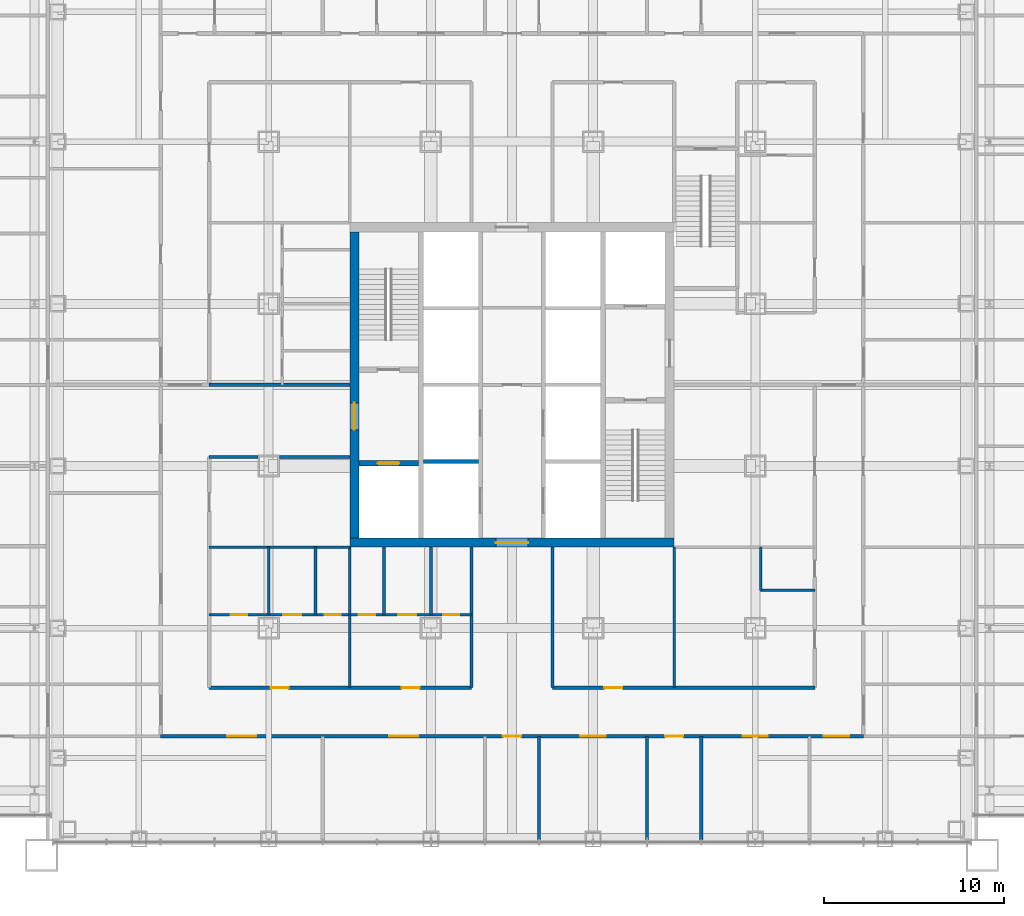
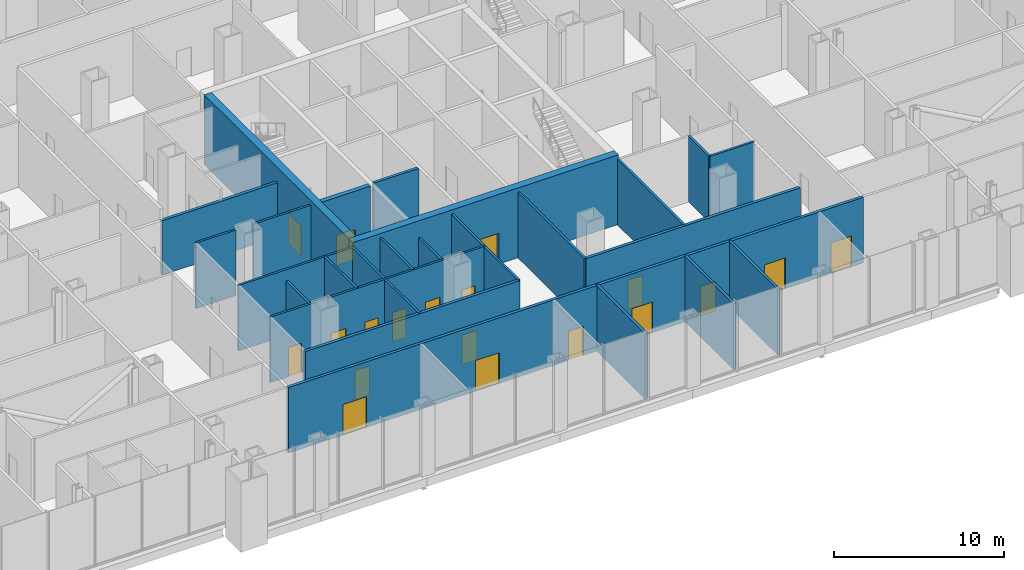
# One storey, part 14 of 25: 26 walls, 19 doors, 19 openings.
"""IFC4 building model written with IfcOpenShell, lengths in metres."""

from ifc_helpers import new_model, si_unit, direction, frame, frame_2d, origin, place, context, subcontext, project, spatial, rectangle, extrude, material, layer, layer_set, type_object, element, fill, save


model = new_model("IFC4")

# Units and contexts
model_context = context("Model", 3, precision=1e-05, world=origin(), true_north=direction((0.0, 1.0)))
body_context = subcontext(model_context, "Body", "Model", "MODEL_VIEW")
ifc_project = project(units=[si_unit("LENGTHUNIT", "METRE"), si_unit("AREAUNIT", "SQUARE_METRE"), si_unit("VOLUMEUNIT", "CUBIC_METRE"), si_unit("PLANEANGLEUNIT", "RADIAN"), si_unit("MASSUNIT", "GRAM", prefix="KILO")], contexts=[model_context])

# Site, building, storey
site_placement = place(None, origin())
site = spatial("IfcSite", under=ifc_project, at=site_placement, CompositionType="ELEMENT")
building_placement = place(site_placement, origin())
building = spatial("IfcBuilding", under=site, at=building_placement, Name="Malebo Sky Hospital", CompositionType="ELEMENT")
storey_placement = place(building_placement, frame((0.0, 0.0, 6.0)))
storey = spatial("IfcBuildingStorey", under=building, at=storey_placement, Name="L01", CompositionType="ELEMENT", Elevation=6.0)

# Wall
ifc_material_1 = material(Name="Concrete C80/95", Category="concrete")
ifc_layer_1 = layer(ifc_material_1, 0.199951171875)
ifc_layer_set_1 = layer_set([ifc_layer_1], Name="CORE INNER WALL 200")
wall_type_1 = type_object("IfcWallType", Name="CORE INNER WALL 200", PredefinedType="SHEAR", material=ifc_layer_set_1)
wall_1_placement = place(storey_placement, frame((55.10009765625, 57.75, 0.0), z_axis=(0.0, 0.0, 1.0), x_axis=(1.0, 0.0, 0.0)))
element("IfcWall", 1, at=wall_1_placement, inside=storey, type_object=wall_type_1, Name="Core wall SW0 L01", PredefinedType="SHEAR", context=body_context, shape_type="SweptSolid", body=[
    extrude(rectangle(XDim=3.0498046875, YDim=0.199951171875, at=frame_2d((1.52490234375, 0.0))), origin(), (0.0, 0.0, 1.0), 5.0),
])

# Wall, opening, door
ifc_layer_2 = layer(ifc_material_1, 0.300048828125)
ifc_layer_set_2 = layer_set([ifc_layer_2], Name="CORE INNER WALL 300")
wall_type_2 = type_object("IfcWallType", Name="CORE INNER WALL 300", PredefinedType="SHEAR", material=ifc_layer_set_2)
wall_2_placement = place(storey_placement, frame((51.5, 57.64990234375, 0.0), z_axis=(0.0, 0.0, 1.0), x_axis=(1.0, 0.0, 0.0)))
wall_2 = element("IfcWall", 2, at=wall_2_placement, inside=storey, type_object=wall_type_2, Name="Core wall W2 L01", PredefinedType="SHEAR", context=body_context, shape_type="SweptSolid", body=[
    extrude(rectangle(XDim=3.300048828125, YDim=0.300048828125, at=frame_2d((1.64990234375, 0.0))), origin(), (0.0, 0.0, 1.0), 5.0),
])
opening_1_placement = place(wall_2_placement, frame((1.050048828125, 0.0, 0.0)))
opening_1 = element("IfcOpeningElement", 3, at=opening_1_placement, cuts=wall_2, Name="Opening LD2", PredefinedType="OPENING", context=body_context, shape_type="SweptSolid", body=[
    extrude(rectangle(XDim=1.199951171875, YDim=2.199951171875, at=frame_2d((0.60009765625, 1.10009765625))), frame((0.0, 0.159912109375, 0.0), z_axis=(0.0, -1.0, 0.0), x_axis=(1.0, 0.0, 0.0)), (0.0, 0.0, 1.0), 0.320068359375),
])
ifc_material_2 = material(Name="Stainless steel sliding landing door", Category="steel")
door_type_1 = type_object("IfcDoorType", Name="FIRE-FIGHTING LIFT LANDING DOOR 1200", OperationType="SLIDING_TO_LEFT", PredefinedType="DOOR", material=ifc_material_2)
door_1_placement = place(opening_1_placement, origin())
door_1 = element("IfcDoor", 4, at=door_1_placement, inside=storey, type_object=door_type_1, Name="Lift FL1 landing door", OperationType="SLIDING_TO_LEFT", OverallHeight=2.199951171875, OverallWidth=1.199951171875, PredefinedType="DOOR", context=body_context, shape_type="SweptSolid", body=[
    extrude(rectangle(XDim=1.199951171875, YDim=2.199951171875, at=frame_2d((0.60009765625, 1.10009765625))), frame((0.0, 0.02490234375, 0.0), z_axis=(0.0, -1.0, 0.0), x_axis=(1.0, 0.0, 0.0)), (0.0, 0.0, 1.0), 0.050048828125),
])
fill(opening_1, door_1)

ifc_layer_3 = layer(ifc_material_1, 0.5)
ifc_layer_set_3 = layer_set([ifc_layer_3], Name="CORE WALL 500")
wall_type_3 = type_object("IfcWallType", Name="CORE WALL 500", PredefinedType="SHEAR", material=ifc_layer_set_3)
wall_3_placement = place(storey_placement, frame((51.0, 53.25, 0.0), z_axis=(0.0, 0.0, 1.0), x_axis=(1.0, 0.0, 0.0)))
wall_3 = element("IfcWall", 5, at=wall_3_placement, inside=storey, type_object=wall_type_3, Name="Core wall S L01", PredefinedType="SHEAR", context=body_context, shape_type="SweptSolid", body=[
    extrude(rectangle(XDim=18.0, YDim=0.5, at=frame_2d((9.0, 0.0))), origin(), (0.0, 0.0, 1.0), 5.0),
])
opening_2_placement = place(wall_3_placement, frame((8.10009765625, 0.0, 0.0)))
opening_2 = element("IfcOpeningElement", 6, at=opening_2_placement, cuts=wall_3, Name="Opening D06", PredefinedType="OPENING", context=body_context, shape_type="SweptSolid", body=[
    extrude(rectangle(XDim=1.800048828125, YDim=2.199951171875, at=frame_2d((0.89990234375, 1.10009765625))), frame((0.0, 0.260009765625, 0.0), z_axis=(0.0, -1.0, 0.0), x_axis=(1.0, 0.0, 0.0)), (0.0, 0.0, 1.0), 0.52001953125),
])
ifc_material_3 = material(Name="Hardwood-faced door leaf in steel frame", Category="steel")
door_type_2 = type_object("IfcDoorType", Name="LOBBY DOOR PAIR 1800", OperationType="DOUBLE_DOOR_SINGLE_SWING", PredefinedType="DOOR", material=ifc_material_3)
door_2_placement = place(opening_2_placement, origin())
door_2 = element("IfcDoor", 7, at=door_2_placement, inside=storey, type_object=door_type_2, Name="Lift lobby door south", OperationType="DOUBLE_DOOR_SINGLE_SWING", OverallHeight=2.199951171875, OverallWidth=1.800048828125, PredefinedType="DOOR", context=body_context, shape_type="SweptSolid", body=[
    extrude(rectangle(XDim=1.800048828125, YDim=2.199951171875, at=frame_2d((0.89990234375, 1.10009765625))), frame((0.0, 0.02490234375, 0.0), z_axis=(0.0, -1.0, 0.0), x_axis=(1.0, 0.0, 0.0)), (0.0, 0.0, 1.0), 0.050048828125),
])
fill(opening_2, door_2)

wall_4_placement = place(storey_placement, frame((51.25, 53.5, 0.0), z_axis=(0.0, 0.0, 1.0), x_axis=(0.0, 1.0, 0.0)))
wall_4 = element("IfcWall", 8, at=wall_4_placement, inside=storey, type_object=wall_type_3, Name="Core wall W L01", PredefinedType="SHEAR", context=body_context, shape_type="SweptSolid", body=[
    extrude(rectangle(XDim=17.0, YDim=0.5, at=frame_2d((8.5, 0.0))), origin(), (0.0, 0.0, 1.0), 5.0),
])
opening_3_placement = place(wall_4_placement, frame((6.0, 0.0, 0.0)))
opening_3 = element("IfcOpeningElement", 9, at=opening_3_placement, cuts=wall_4, Name="Opening D07", PredefinedType="OPENING", context=body_context, shape_type="SweptSolid", body=[
    extrude(rectangle(XDim=1.5, YDim=2.199951171875, at=frame_2d((0.75, 1.10009765625))), frame((0.0, 0.260009765625, 0.0), z_axis=(0.0, -1.0, 0.0), x_axis=(1.0, 0.0, 0.0)), (0.0, 0.0, 1.0), 0.52001953125),
])
door_type_3 = type_object("IfcDoorType", Name="FIRE-FIGHTING LOBBY DOOR PAIR 1500", OperationType="DOUBLE_DOOR_SINGLE_SWING", PredefinedType="DOOR", material=ifc_material_3)
door_3_placement = place(opening_3_placement, origin())
door_3 = element("IfcDoor", 10, at=door_3_placement, inside=storey, type_object=door_type_3, Name="Fire-fighting lobby door west", OperationType="DOUBLE_DOOR_SINGLE_SWING", OverallHeight=2.199951171875, OverallWidth=1.5, PredefinedType="DOOR", context=body_context, shape_type="SweptSolid", body=[
    extrude(rectangle(XDim=1.5, YDim=2.199951171875, at=frame_2d((0.75, 1.10009765625))), frame((0.0, 0.02490234375, 0.0), z_axis=(0.0, -1.0, 0.0), x_axis=(1.0, 0.0, 0.0)), (0.0, 0.0, 1.0), 0.050048828125),
])
fill(opening_3, door_3)

# Wall, openings, doors
ifc_material_4 = material(Name="Gypsum board on steel studs", Category="steel")
ifc_layer_4 = layer(ifc_material_4, 0.199951171875)
ifc_layer_set_4 = layer_set([ifc_layer_4], Name="CORRIDOR WALL 200")
wall_type_4 = type_object("IfcWallType", Name="CORRIDOR WALL 200", PredefinedType="PARTITIONING", material=ifc_layer_set_4)
wall_5_placement = place(storey_placement, frame((79.5, 42.5, 0.0), z_axis=(0.0, 0.0, 1.0), x_axis=(-1.0, 0.0, 0.0)))
wall_5 = element("IfcWall", 11, at=wall_5_placement, inside=storey, type_object=wall_type_4, Name="Corridor Wall 200 SCO", PredefinedType="PARTITIONING", context=body_context, shape_type="SweptSolid", body=[
    extrude(rectangle(XDim=39.0, YDim=0.199951171875, at=frame_2d((19.5, 0.0))), origin(), (0.0, 0.0, 1.0), 4.699951171875),
])
opening_4_placement = place(wall_5_placement, frame((0.800048828125, 0.0, 0.0)))
opening_4 = element("IfcOpeningElement", 12, at=opening_4_placement, cuts=wall_5, Name="Opening D26", PredefinedType="OPENING", context=body_context, shape_type="SweptSolid", body=[
    extrude(rectangle(XDim=1.39990234375, YDim=2.199951171875, at=frame_2d((0.699951171875, 1.10009765625))), frame((0.0, 0.10986328125, 0.0), z_axis=(0.0, -1.0, 0.0), x_axis=(1.0, 0.0, 0.0)), (0.0, 0.0, 1.0), 0.219970703125),
])
opening_5_placement = place(wall_5_placement, frame((5.300048828125, 0.0, 0.0)))
opening_5 = element("IfcOpeningElement", 13, at=opening_5_placement, cuts=wall_5, Name="Opening D26", PredefinedType="OPENING", context=body_context, shape_type="SweptSolid", body=[
    extrude(rectangle(XDim=1.39990234375, YDim=2.199951171875, at=frame_2d((0.699951171875, 1.10009765625))), frame((0.0, 0.10986328125, 0.0), z_axis=(0.0, -1.0, 0.0), x_axis=(1.0, 0.0, 0.0)), (0.0, 0.0, 1.0), 0.219970703125),
])
opening_6_placement = place(wall_5_placement, frame((10.0, 0.0, 0.0)))
opening_6 = element("IfcOpeningElement", 14, at=opening_6_placement, cuts=wall_5, Name="Opening D03", PredefinedType="OPENING", context=body_context, shape_type="SweptSolid", body=[
    extrude(rectangle(XDim=1.0, YDim=2.10009765625, at=frame_2d((0.5, 1.050048828125))), frame((0.0, 0.10986328125, 0.0), z_axis=(0.0, -1.0, 0.0), x_axis=(1.0, 0.0, 0.0)), (0.0, 0.0, 1.0), 0.219970703125),
])
opening_7_placement = place(wall_5_placement, frame((14.300048828125, 0.0, 0.0)))
opening_7 = element("IfcOpeningElement", 15, at=opening_7_placement, cuts=wall_5, Name="Opening D25", PredefinedType="OPENING", context=body_context, shape_type="SweptSolid", body=[
    extrude(rectangle(XDim=1.39990234375, YDim=2.199951171875, at=frame_2d((0.699951171875, 1.10009765625))), frame((0.0, 0.10986328125, 0.0), z_axis=(0.0, -1.0, 0.0), x_axis=(1.0, 0.0, 0.0)), (0.0, 0.0, 1.0), 0.219970703125),
])
opening_8_placement = place(wall_5_placement, frame((19.0, 0.0, 0.0)))
opening_8 = element("IfcOpeningElement", 16, at=opening_8_placement, cuts=wall_5, Name="Opening D03", PredefinedType="OPENING", context=body_context, shape_type="SweptSolid", body=[
    extrude(rectangle(XDim=1.0, YDim=2.10009765625, at=frame_2d((0.5, 1.050048828125))), frame((0.0, 0.10986328125, 0.0), z_axis=(0.0, -1.0, 0.0), x_axis=(1.0, 0.0, 0.0)), (0.0, 0.0, 1.0), 0.219970703125),
])
opening_9_placement = place(wall_5_placement, frame((24.699951171875, 0.0, 0.0)))
opening_9 = element("IfcOpeningElement", 17, at=opening_9_placement, cuts=wall_5, Name="Opening D14", PredefinedType="OPENING", context=body_context, shape_type="SweptSolid", body=[
    extrude(rectangle(XDim=1.60009765625, YDim=2.199951171875, at=frame_2d((0.800048828125, 1.10009765625))), frame((0.0, 0.10986328125, 0.0), z_axis=(0.0, -1.0, 0.0), x_axis=(1.0, 0.0, 0.0)), (0.0, 0.0, 1.0), 0.219970703125),
])
opening_10_placement = place(wall_5_placement, frame((33.699951171875, 0.0, 0.0)))
opening_10 = element("IfcOpeningElement", 18, at=opening_10_placement, cuts=wall_5, Name="Opening D14", PredefinedType="OPENING", context=body_context, shape_type="SweptSolid", body=[
    extrude(rectangle(XDim=1.60009765625, YDim=2.199951171875, at=frame_2d((0.800048828125, 1.10009765625))), frame((0.0, 0.10986328125, 0.0), z_axis=(0.0, -1.0, 0.0), x_axis=(1.0, 0.0, 0.0)), (0.0, 0.0, 1.0), 0.219970703125),
])
door_type_4 = type_object("IfcDoorType", Name="BED DOOR PAIR 1400", OperationType="DOUBLE_DOOR_SINGLE_SWING", PredefinedType="DOOR", material=ifc_material_3)
door_4_placement = place(opening_7_placement, origin())
door_4 = element("IfcDoor", 19, at=door_4_placement, inside=storey, type_object=door_type_4, Name="Echocardiography room door", OperationType="DOUBLE_DOOR_SINGLE_SWING", OverallHeight=2.199951171875, OverallWidth=1.39990234375, PredefinedType="DOOR", context=body_context, shape_type="SweptSolid", body=[
    extrude(rectangle(XDim=1.39990234375, YDim=2.199951171875, at=frame_2d((0.699951171875, 1.10009765625))), frame((0.0, 0.02490234375, 0.0), z_axis=(0.0, -1.0, 0.0), x_axis=(1.0, 0.0, 0.0)), (0.0, 0.0, 1.0), 0.050048828125),
])
fill(opening_7, door_4)
door_type_5 = type_object("IfcDoorType", Name="DEPARTMENT DOOR PAIR 1600", OperationType="DOUBLE_DOOR_DOUBLE_SWING", PredefinedType="DOOR", material=ifc_material_3)
door_5_placement = place(opening_9_placement, origin())
door_5 = element("IfcDoor", 20, at=door_5_placement, inside=storey, type_object=door_type_5, Name="Imaging equipment store door", OperationType="DOUBLE_DOOR_DOUBLE_SWING", OverallHeight=2.199951171875, OverallWidth=1.60009765625, PredefinedType="DOOR", context=body_context, shape_type="SweptSolid", body=[
    extrude(rectangle(XDim=1.60009765625, YDim=2.199951171875, at=frame_2d((0.800048828125, 1.10009765625))), frame((0.0, 0.02490234375, 0.0), z_axis=(0.0, -1.0, 0.0), x_axis=(1.0, 0.0, 0.0)), (0.0, 0.0, 1.0), 0.050048828125),
])
fill(opening_9, door_5)
door_6_placement = place(opening_10_placement, origin())
door_6 = element("IfcDoor", 21, at=door_6_placement, inside=storey, type_object=door_type_5, Name="Imaging day recovery door", OperationType="DOUBLE_DOOR_DOUBLE_SWING", OverallHeight=2.199951171875, OverallWidth=1.60009765625, PredefinedType="DOOR", context=body_context, shape_type="SweptSolid", body=[
    extrude(rectangle(XDim=1.60009765625, YDim=2.199951171875, at=frame_2d((0.800048828125, 1.10009765625))), frame((0.0, 0.02490234375, 0.0), z_axis=(0.0, -1.0, 0.0), x_axis=(1.0, 0.0, 0.0)), (0.0, 0.0, 1.0), 0.050048828125),
])
fill(opening_10, door_6)
ifc_material_5 = material(Name="Lead-lined hardwood-faced door leaf in steel frame", Category="steel")
door_type_6 = type_object("IfcDoorType", Name="LEAD-LINED BED DOOR PAIR 1400", OperationType="DOUBLE_DOOR_SINGLE_SWING", PredefinedType="DOOR", material=ifc_material_5)
door_7_placement = place(opening_4_placement, origin())
door_7 = element("IfcDoor", 22, at=door_7_placement, inside=storey, type_object=door_type_6, Name="Bone densitometry room door", OperationType="DOUBLE_DOOR_SINGLE_SWING", OverallHeight=2.199951171875, OverallWidth=1.39990234375, PredefinedType="DOOR", context=body_context, shape_type="SweptSolid", body=[
    extrude(rectangle(XDim=1.39990234375, YDim=2.199951171875, at=frame_2d((0.699951171875, 1.10009765625))), frame((0.0, 0.02490234375, 0.0), z_axis=(0.0, -1.0, 0.0), x_axis=(1.0, 0.0, 0.0)), (0.0, 0.0, 1.0), 0.050048828125),
])
fill(opening_4, door_7)
door_8_placement = place(opening_5_placement, origin())
door_8 = element("IfcDoor", 23, at=door_8_placement, inside=storey, type_object=door_type_6, Name="Dental and facial imaging room door", OperationType="DOUBLE_DOOR_SINGLE_SWING", OverallHeight=2.199951171875, OverallWidth=1.39990234375, PredefinedType="DOOR", context=body_context, shape_type="SweptSolid", body=[
    extrude(rectangle(XDim=1.39990234375, YDim=2.199951171875, at=frame_2d((0.699951171875, 1.10009765625))), frame((0.0, 0.02490234375, 0.0), z_axis=(0.0, -1.0, 0.0), x_axis=(1.0, 0.0, 0.0)), (0.0, 0.0, 1.0), 0.050048828125),
])
fill(opening_5, door_8)
door_type_7 = type_object("IfcDoorType", Name="ROOM DOOR 1000", OperationType="SINGLE_SWING_LEFT", PredefinedType="DOOR", material=ifc_material_3)
door_9_placement = place(opening_6_placement, origin())
door_9 = element("IfcDoor", 24, at=door_9_placement, inside=storey, type_object=door_type_7, Name="Patient changing room door", OperationType="SINGLE_SWING_LEFT", OverallHeight=2.10009765625, OverallWidth=1.0, PredefinedType="DOOR", context=body_context, shape_type="SweptSolid", body=[
    extrude(rectangle(XDim=1.0, YDim=2.10009765625, at=frame_2d((0.5, 1.050048828125))), frame((0.0, 0.02490234375, 0.0), z_axis=(0.0, -1.0, 0.0), x_axis=(1.0, 0.0, 0.0)), (0.0, 0.0, 1.0), 0.050048828125),
])
fill(opening_6, door_9)
door_10_placement = place(opening_8_placement, origin())
door_10 = element("IfcDoor", 25, at=door_10_placement, inside=storey, type_object=door_type_7, Name="Cardiac imaging staff base door", OperationType="SINGLE_SWING_LEFT", OverallHeight=2.10009765625, OverallWidth=1.0, PredefinedType="DOOR", context=body_context, shape_type="SweptSolid", body=[
    extrude(rectangle(XDim=1.0, YDim=2.10009765625, at=frame_2d((0.5, 1.050048828125))), frame((0.0, 0.02490234375, 0.0), z_axis=(0.0, -1.0, 0.0), x_axis=(1.0, 0.0, 0.0)), (0.0, 0.0, 1.0), 0.050048828125),
])
fill(opening_8, door_10)

# Wall, opening, door
wall_6_placement = place(storey_placement, frame((76.800048828125, 45.199951171875, 0.0), z_axis=(0.0, 0.0, 1.0), x_axis=(-1.0, 0.0, 0.0)))
wall_6 = element("IfcWall", 26, at=wall_6_placement, inside=storey, type_object=wall_type_4, Name="Corridor Wall 200 SCI1", PredefinedType="PARTITIONING", context=body_context, shape_type="SweptSolid", body=[
    extrude(rectangle(XDim=14.550048828125, YDim=0.199951171875, at=frame_2d((7.27490234375, 0.0))), origin(), (0.0, 0.0, 1.0), 4.699951171875),
])
opening_11_placement = place(wall_6_placement, frame((10.675048828125, 0.0, 0.0)))
opening_11 = element("IfcOpeningElement", 27, at=opening_11_placement, cuts=wall_6, Name="Opening D03", PredefinedType="OPENING", context=body_context, shape_type="SweptSolid", body=[
    extrude(rectangle(XDim=1.0, YDim=2.10009765625, at=frame_2d((0.5, 1.050048828125))), frame((0.0, 0.10986328125, 0.0), z_axis=(0.0, -1.0, 0.0), x_axis=(1.0, 0.0, 0.0)), (0.0, 0.0, 1.0), 0.219970703125),
])
door_11_placement = place(opening_11_placement, origin())
door_11 = element("IfcDoor", 28, at=door_11_placement, inside=storey, type_object=door_type_7, Name="Medication room door", OperationType="SINGLE_SWING_LEFT", OverallHeight=2.10009765625, OverallWidth=1.0, PredefinedType="DOOR", context=body_context, shape_type="SweptSolid", body=[
    extrude(rectangle(XDim=1.0, YDim=2.10009765625, at=frame_2d((0.5, 1.050048828125))), frame((0.0, 0.02490234375, 0.0), z_axis=(0.0, -1.0, 0.0), x_axis=(1.0, 0.0, 0.0)), (0.0, 0.0, 1.0), 0.050048828125),
])
fill(opening_11, door_11)

# Wall, openings, doors
wall_7_placement = place(storey_placement, frame((57.75, 45.199951171875, 0.0), z_axis=(0.0, 0.0, 1.0), x_axis=(-1.0, 0.0, 0.0)))
wall_7 = element("IfcWall", 29, at=wall_7_placement, inside=storey, type_object=wall_type_4, Name="Corridor Wall 200 SCI2", PredefinedType="PARTITIONING", context=body_context, shape_type="SweptSolid", body=[
    extrude(rectangle(XDim=14.550048828125, YDim=0.199951171875, at=frame_2d((7.27490234375, 0.0))), origin(), (0.0, 0.0, 1.0), 4.699951171875),
])
opening_12_placement = place(wall_7_placement, frame((2.875, 0.0, 0.0)))
opening_12 = element("IfcOpeningElement", 30, at=opening_12_placement, cuts=wall_7, Name="Opening D03", PredefinedType="OPENING", context=body_context, shape_type="SweptSolid", body=[
    extrude(rectangle(XDim=1.0, YDim=2.10009765625, at=frame_2d((0.5, 1.050048828125))), frame((0.0, 0.10986328125, 0.0), z_axis=(0.0, -1.0, 0.0), x_axis=(1.0, 0.0, 0.0)), (0.0, 0.0, 1.0), 0.219970703125),
])
opening_13_placement = place(wall_7_placement, frame((10.14990234375, 0.0, 0.0)))
opening_13 = element("IfcOpeningElement", 31, at=opening_13_placement, cuts=wall_7, Name="Opening D03", PredefinedType="OPENING", context=body_context, shape_type="SweptSolid", body=[
    extrude(rectangle(XDim=1.0, YDim=2.10009765625, at=frame_2d((0.5, 1.050048828125))), frame((0.0, 0.10986328125, 0.0), z_axis=(0.0, -1.0, 0.0), x_axis=(1.0, 0.0, 0.0)), (0.0, 0.0, 1.0), 0.219970703125),
])
door_12_placement = place(opening_12_placement, origin())
door_12 = element("IfcDoor", 32, at=door_12_placement, inside=storey, type_object=door_type_7, Name="Patient WC vestibule door", OperationType="SINGLE_SWING_LEFT", OverallHeight=2.10009765625, OverallWidth=1.0, PredefinedType="DOOR", context=body_context, shape_type="SweptSolid", body=[
    extrude(rectangle(XDim=1.0, YDim=2.10009765625, at=frame_2d((0.5, 1.050048828125))), frame((0.0, 0.02490234375, 0.0), z_axis=(0.0, -1.0, 0.0), x_axis=(1.0, 0.0, 0.0)), (0.0, 0.0, 1.0), 0.050048828125),
])
fill(opening_12, door_12)
door_13_placement = place(opening_13_placement, origin())
door_13 = element("IfcDoor", 33, at=door_13_placement, inside=storey, type_object=door_type_7, Name="Patient WC vestibule door", OperationType="SINGLE_SWING_RIGHT", OverallHeight=2.10009765625, OverallWidth=1.0, PredefinedType="DOOR", context=body_context, shape_type="SweptSolid", body=[
    extrude(rectangle(XDim=1.0, YDim=2.10009765625, at=frame_2d((0.5, 1.050048828125))), frame((0.0, 0.02490234375, 0.0), z_axis=(0.0, -1.0, 0.0), x_axis=(1.0, 0.0, 0.0)), (0.0, 0.0, 1.0), 0.050048828125),
])
fill(opening_13, door_13)

# Walls
ifc_layer_5 = layer(ifc_material_4, 0.14990234375)
ifc_layer_set_5 = layer_set([ifc_layer_5], Name="PARTITION 150")
wall_type_5 = type_object("IfcWallType", Name="PARTITION 150", PredefinedType="PARTITIONING", material=ifc_layer_set_5)
wall_8_placement = place(storey_placement, frame((51.0, 53.0, 0.0), z_axis=(0.0, 0.0, 1.0), x_axis=(-1.0, 0.0, 0.0)))
element("IfcWall", 34, at=wall_8_placement, inside=storey, type_object=wall_type_5, Name="Partition 150 WSPM", PredefinedType="PARTITIONING", context=body_context, shape_type="SweptSolid", body=[
    extrude(rectangle(XDim=7.800048828125, YDim=0.14990234375, at=frame_2d((3.89990234375, 0.0))), origin(), (0.0, 0.0, 1.0), 4.699951171875),
])
wall_9_placement = place(storey_placement, frame((51.0, 58.0, 0.0), z_axis=(0.0, 0.0, 1.0), x_axis=(-1.0, 0.0, 0.0)))
element("IfcWall", 35, at=wall_9_placement, inside=storey, type_object=wall_type_5, Name="Partition 150 WSPA", PredefinedType="PARTITIONING", context=body_context, shape_type="SweptSolid", body=[
    extrude(rectangle(XDim=3.89990234375, YDim=0.14990234375, at=frame_2d((1.949951171875, 0.0))), origin(), (0.0, 0.0, 1.0), 4.699951171875),
])
wall_10_placement = place(storey_placement, frame((45.89990234375, 58.0, 0.0), z_axis=(0.0, 0.0, 1.0), x_axis=(-1.0, 0.0, 0.0)))
element("IfcWall", 36, at=wall_10_placement, inside=storey, type_object=wall_type_5, Name="Partition 150 WSPA", PredefinedType="PARTITIONING", context=body_context, shape_type="SweptSolid", body=[
    extrude(rectangle(XDim=2.699951171875, YDim=0.14990234375, at=frame_2d((1.35009765625, 0.0))), origin(), (0.0, 0.0, 1.0), 4.699951171875),
])
for number, where, z_axis, x_axis, name in (
    (37, (69.0, 53.0, 0.0), (0.0, 0.0, 1.0), (0.0, -1.0, 0.0), "Partition 150 SSPM"),
    (38, (62.25, 53.0, 0.0), (0.0, 0.0, 1.0), (0.0, -1.0, 0.0), "Partition 150 SSPA"),
    (39, (57.75, 53.0, 0.0), (0.0, 0.0, 1.0), (0.0, -1.0, 0.0), "Partition 150 SSPB"),
    (40, (51.0, 53.0, 0.0), (0.0, 0.0, 1.0), (0.0, -1.0, 0.0), "Partition 150 SSP9"),
):
    element("IfcWall", number, at=place(storey_placement, frame(where, z_axis=z_axis, x_axis=x_axis)), inside=storey, type_object=wall_type_5, Name=name, PredefinedType="PARTITIONING", context=body_context, shape_type="SweptSolid", body=[
        extrude(rectangle(XDim=7.800048828125, YDim=0.14990234375, at=frame_2d((3.89990234375, 0.0))), origin(), (0.0, 0.0, 1.0), 4.699951171875),
    ])

# Wall, openings, doors
wall_11_placement = place(storey_placement, frame((57.75, 49.25, 0.0), z_axis=(0.0, 0.0, 1.0), x_axis=(-1.0, 0.0, 0.0)))
wall_11 = element("IfcWall", 41, at=wall_11_placement, inside=storey, type_object=wall_type_5, Name="Partition 150 SS1F", PredefinedType="PARTITIONING", context=body_context, shape_type="SweptSolid", body=[
    extrude(rectangle(XDim=6.75, YDim=0.14990234375, at=frame_2d((3.375, 0.0))), origin(), (0.0, 0.0, 1.0), 4.699951171875),
])
opening_14_placement = place(wall_11_placement, frame((0.675048828125, 0.0, 0.0)))
opening_14 = element("IfcOpeningElement", 42, at=opening_14_placement, cuts=wall_11, Name="Opening D04", PredefinedType="OPENING", context=body_context, shape_type="SweptSolid", body=[
    extrude(rectangle(XDim=0.89990234375, YDim=2.10009765625, at=frame_2d((0.449951171875, 1.050048828125))), frame((0.0, 0.0849609375, 0.0), z_axis=(0.0, -1.0, 0.0), x_axis=(1.0, 0.0, 0.0)), (0.0, 0.0, 1.0), 0.169921875),
])
opening_15_placement = place(wall_11_placement, frame((3.050048828125, 0.0, 0.0)))
opening_15 = element("IfcOpeningElement", 43, at=opening_15_placement, cuts=wall_11, Name="Opening D03", PredefinedType="OPENING", context=body_context, shape_type="SweptSolid", body=[
    extrude(rectangle(XDim=1.0, YDim=2.10009765625, at=frame_2d((0.5, 1.050048828125))), frame((0.0, 0.0849609375, 0.0), z_axis=(0.0, -1.0, 0.0), x_axis=(1.0, 0.0, 0.0)), (0.0, 0.0, 1.0), 0.169921875),
])
opening_16_placement = place(wall_11_placement, frame((5.35009765625, 0.0, 0.0)))
opening_16 = element("IfcOpeningElement", 44, at=opening_16_placement, cuts=wall_11, Name="Opening D04", PredefinedType="OPENING", context=body_context, shape_type="SweptSolid", body=[
    extrude(rectangle(XDim=0.89990234375, YDim=2.10009765625, at=frame_2d((0.449951171875, 1.050048828125))), frame((0.0, 0.0849609375, 0.0), z_axis=(0.0, -1.0, 0.0), x_axis=(1.0, 0.0, 0.0)), (0.0, 0.0, 1.0), 0.169921875),
])
door_14_placement = place(opening_15_placement, origin())
door_14 = element("IfcDoor", 45, at=door_14_placement, inside=storey, type_object=door_type_7, Name="Accessible WC door", OperationType="SINGLE_SWING_LEFT", OverallHeight=2.10009765625, OverallWidth=1.0, PredefinedType="DOOR", context=body_context, shape_type="SweptSolid", body=[
    extrude(rectangle(XDim=1.0, YDim=2.10009765625, at=frame_2d((0.5, 1.050048828125))), frame((0.0, 0.02490234375, 0.0), z_axis=(0.0, -1.0, 0.0), x_axis=(1.0, 0.0, 0.0)), (0.0, 0.0, 1.0), 0.050048828125),
])
fill(opening_15, door_14)
door_type_8 = type_object("IfcDoorType", Name="ROOM DOOR 900", OperationType="SINGLE_SWING_LEFT", PredefinedType="DOOR", material=ifc_material_3)
door_15_placement = place(opening_14_placement, origin())
door_15 = element("IfcDoor", 46, at=door_15_placement, inside=storey, type_object=door_type_8, Name="Patient WC door", OperationType="SINGLE_SWING_LEFT", OverallHeight=2.10009765625, OverallWidth=0.89990234375, PredefinedType="DOOR", context=body_context, shape_type="SweptSolid", body=[
    extrude(rectangle(XDim=0.89990234375, YDim=2.10009765625, at=frame_2d((0.449951171875, 1.050048828125))), frame((0.0, 0.02490234375, 0.0), z_axis=(0.0, -1.0, 0.0), x_axis=(1.0, 0.0, 0.0)), (0.0, 0.0, 1.0), 0.050048828125),
])
fill(opening_14, door_15)
door_16_placement = place(opening_16_placement, origin())
door_16 = element("IfcDoor", 47, at=door_16_placement, inside=storey, type_object=door_type_8, Name="Patient WC door", OperationType="SINGLE_SWING_LEFT", OverallHeight=2.10009765625, OverallWidth=0.89990234375, PredefinedType="DOOR", context=body_context, shape_type="SweptSolid", body=[
    extrude(rectangle(XDim=0.89990234375, YDim=2.10009765625, at=frame_2d((0.449951171875, 1.050048828125))), frame((0.0, 0.02490234375, 0.0), z_axis=(0.0, -1.0, 0.0), x_axis=(1.0, 0.0, 0.0)), (0.0, 0.0, 1.0), 0.050048828125),
])
fill(opening_16, door_16)

# Walls
wall_12_placement = place(storey_placement, frame((55.5, 53.0, 0.0), z_axis=(0.0, 0.0, 1.0), x_axis=(0.0, -1.0, 0.0)))
element("IfcWall", 48, at=wall_12_placement, inside=storey, type_object=wall_type_5, Name="Partition 150 SS1W1", PredefinedType="PARTITIONING", context=body_context, shape_type="SweptSolid", body=[
    extrude(rectangle(XDim=3.75, YDim=0.14990234375, at=frame_2d((1.875, 0.0))), origin(), (0.0, 0.0, 1.0), 3.800048828125),
])
wall_13_placement = place(storey_placement, frame((52.89990234375, 53.0, 0.0), z_axis=(0.0, 0.0, 1.0), x_axis=(0.0, -1.0, 0.0)))
element("IfcWall", 49, at=wall_13_placement, inside=storey, type_object=wall_type_5, Name="Partition 150 SS1W2", PredefinedType="PARTITIONING", context=body_context, shape_type="SweptSolid", body=[
    extrude(rectangle(XDim=3.75, YDim=0.14990234375, at=frame_2d((1.875, 0.0))), origin(), (0.0, 0.0, 1.0), 4.699951171875),
])

# Wall, openings, doors
wall_14_placement = place(storey_placement, frame((51.0, 49.25, 0.0), z_axis=(0.0, 0.0, 1.0), x_axis=(-1.0, 0.0, 0.0)))
wall_14 = element("IfcWall", 50, at=wall_14_placement, inside=storey, type_object=wall_type_5, Name="Partition 150 SS2F", PredefinedType="PARTITIONING", context=body_context, shape_type="SweptSolid", body=[
    extrude(rectangle(XDim=7.800048828125, YDim=0.14990234375, at=frame_2d((3.89990234375, 0.0))), origin(), (0.0, 0.0, 1.0), 4.699951171875),
])
opening_17_placement = place(wall_14_placement, frame((0.5, 0.0, 0.0)))
opening_17 = element("IfcOpeningElement", 51, at=opening_17_placement, cuts=wall_14, Name="Opening D04", PredefinedType="OPENING", context=body_context, shape_type="SweptSolid", body=[
    extrude(rectangle(XDim=0.89990234375, YDim=2.10009765625, at=frame_2d((0.449951171875, 1.050048828125))), frame((0.0, 0.0849609375, 0.0), z_axis=(0.0, -1.0, 0.0), x_axis=(1.0, 0.0, 0.0)), (0.0, 0.0, 1.0), 0.169921875),
])
opening_18_placement = place(wall_14_placement, frame((2.699951171875, 0.0, 0.0)))
opening_18 = element("IfcOpeningElement", 52, at=opening_18_placement, cuts=wall_14, Name="Opening D03", PredefinedType="OPENING", context=body_context, shape_type="SweptSolid", body=[
    extrude(rectangle(XDim=1.0, YDim=2.10009765625, at=frame_2d((0.5, 1.050048828125))), frame((0.0, 0.0849609375, 0.0), z_axis=(0.0, -1.0, 0.0), x_axis=(1.0, 0.0, 0.0)), (0.0, 0.0, 1.0), 0.169921875),
])
opening_19_placement = place(wall_14_placement, frame((5.699951171875, 0.0, 0.0)))
opening_19 = element("IfcOpeningElement", 53, at=opening_19_placement, cuts=wall_14, Name="Opening D04", PredefinedType="OPENING", context=body_context, shape_type="SweptSolid", body=[
    extrude(rectangle(XDim=0.89990234375, YDim=2.10009765625, at=frame_2d((0.449951171875, 1.050048828125))), frame((0.0, 0.0849609375, 0.0), z_axis=(0.0, -1.0, 0.0), x_axis=(1.0, 0.0, 0.0)), (0.0, 0.0, 1.0), 0.169921875),
])
door_17_placement = place(opening_18_placement, origin())
door_17 = element("IfcDoor", 54, at=door_17_placement, inside=storey, type_object=door_type_7, Name="Accessible WC door", OperationType="SINGLE_SWING_LEFT", OverallHeight=2.10009765625, OverallWidth=1.0, PredefinedType="DOOR", context=body_context, shape_type="SweptSolid", body=[
    extrude(rectangle(XDim=1.0, YDim=2.10009765625, at=frame_2d((0.5, 1.050048828125))), frame((0.0, 0.02490234375, 0.0), z_axis=(0.0, -1.0, 0.0), x_axis=(1.0, 0.0, 0.0)), (0.0, 0.0, 1.0), 0.050048828125),
])
fill(opening_18, door_17)
door_18_placement = place(opening_17_placement, origin())
door_18 = element("IfcDoor", 55, at=door_18_placement, inside=storey, type_object=door_type_8, Name="Patient WC door", OperationType="SINGLE_SWING_LEFT", OverallHeight=2.10009765625, OverallWidth=0.89990234375, PredefinedType="DOOR", context=body_context, shape_type="SweptSolid", body=[
    extrude(rectangle(XDim=0.89990234375, YDim=2.10009765625, at=frame_2d((0.449951171875, 1.050048828125))), frame((0.0, 0.02490234375, 0.0), z_axis=(0.0, -1.0, 0.0), x_axis=(1.0, 0.0, 0.0)), (0.0, 0.0, 1.0), 0.050048828125),
])
fill(opening_17, door_18)
door_19_placement = place(opening_19_placement, origin())
door_19 = element("IfcDoor", 56, at=door_19_placement, inside=storey, type_object=door_type_8, Name="Patient WC door", OperationType="SINGLE_SWING_RIGHT", OverallHeight=2.10009765625, OverallWidth=0.89990234375, PredefinedType="DOOR", context=body_context, shape_type="SweptSolid", body=[
    extrude(rectangle(XDim=0.89990234375, YDim=2.10009765625, at=frame_2d((0.449951171875, 1.050048828125))), frame((0.0, 0.02490234375, 0.0), z_axis=(0.0, -1.0, 0.0), x_axis=(1.0, 0.0, 0.0)), (0.0, 0.0, 1.0), 0.050048828125),
])
fill(opening_19, door_19)

# Walls
wall_15_placement = place(storey_placement, frame((49.10009765625, 53.0, 0.0), z_axis=(0.0, 0.0, 1.0), x_axis=(0.0, -1.0, 0.0)))
element("IfcWall", 57, at=wall_15_placement, inside=storey, type_object=wall_type_5, Name="Partition 150 SS2W1", PredefinedType="PARTITIONING", context=body_context, shape_type="SweptSolid", body=[
    extrude(rectangle(XDim=3.75, YDim=0.14990234375, at=frame_2d((1.875, 0.0))), origin(), (0.0, 0.0, 1.0), 4.699951171875),
])
wall_16_placement = place(storey_placement, frame((46.5, 53.0, 0.0), z_axis=(0.0, 0.0, 1.0), x_axis=(0.0, -1.0, 0.0)))
element("IfcWall", 58, at=wall_16_placement, inside=storey, type_object=wall_type_5, Name="Partition 150 SS2W2", PredefinedType="PARTITIONING", context=body_context, shape_type="SweptSolid", body=[
    extrude(rectangle(XDim=3.75, YDim=0.14990234375, at=frame_2d((1.875, 0.0))), origin(), (0.0, 0.0, 1.0), 3.89990234375),
])
wall_17_placement = place(storey_placement, frame((73.800048828125, 50.60009765625, 0.0), z_axis=(0.0, 0.0, 1.0), x_axis=(1.0, 0.0, 0.0)))
element("IfcWall", 59, at=wall_17_placement, inside=storey, type_object=wall_type_5, Name="Partition 150 ES2K1", PredefinedType="PARTITIONING", context=body_context, shape_type="SweptSolid", body=[
    extrude(rectangle(XDim=3.0, YDim=0.14990234375, at=frame_2d((1.5, 0.0))), origin(), (0.0, 0.0, 1.0), 4.699951171875),
])
wall_18_placement = place(storey_placement, frame((73.800048828125, 53.0, 0.0), z_axis=(0.0, 0.0, 1.0), x_axis=(0.0, -1.0, 0.0)))
element("IfcWall", 60, at=wall_18_placement, inside=storey, type_object=wall_type_5, Name="Partition 150 ES2K2", PredefinedType="PARTITIONING", context=body_context, shape_type="SweptSolid", body=[
    extrude(rectangle(XDim=2.39990234375, YDim=0.14990234375, at=frame_2d((1.199951171875, 0.0))), origin(), (0.0, 0.0, 1.0), 4.699951171875),
])
ifc_material_6 = material(Name="Lead-lined gypsum board on steel studs", Category="steel")
ifc_layer_6 = layer(ifc_material_6, 0.175048828125)
ifc_layer_set_6 = layer_set([ifc_layer_6], Name="SHIELDED PARTITION 175")
wall_type_6 = type_object("IfcWallType", Name="SHIELDED PARTITION 175", PredefinedType="PARTITIONING", material=ifc_layer_set_6)
for number, where, z_axis, x_axis, name in (
    (61, (70.5, 42.5, 0.0), (0.0, 0.0, 1.0), (0.0, -1.0, 0.0), "Shielded Partition 175 SP-10.5"),
    (62, (67.5, 42.5, 0.0), (0.0, 0.0, 1.0), (0.0, -1.0, 0.0), "Shielded Partition 175 SP-7.5"),
    (63, (61.5, 42.5, 0.0), (0.0, 0.0, 1.0), (0.0, -1.0, 0.0), "Shielded Partition 175 SP-1.5"),
):
    element("IfcWall", number, at=place(storey_placement, frame(where, z_axis=z_axis, x_axis=x_axis)), inside=storey, type_object=wall_type_6, Name=name, PredefinedType="PARTITIONING", context=body_context, shape_type="SweptSolid", body=[
        extrude(rectangle(XDim=5.75, YDim=0.175048828125, at=frame_2d((2.875, 0.0))), origin(), (0.0, 0.0, 1.0), 4.699951171875),
    ])
ifc_material_7 = material(Name="Concrete blockwork", Category="masonry")
ifc_layer_7 = layer(ifc_material_7, 0.199951171875)
ifc_layer_set_7 = layer_set([ifc_layer_7], Name="SMOKE BARRIER WALL 200")
wall_type_7 = type_object("IfcWallType", Name="SMOKE BARRIER WALL 200", PredefinedType="SOLIDWALL", material=ifc_layer_set_7)
wall_19_placement = place(storey_placement, frame((51.0, 62.0, 0.0), z_axis=(0.0, 0.0, 1.0), x_axis=(-1.0, 0.0, 0.0)))
element("IfcWall", 64, at=wall_19_placement, inside=storey, type_object=wall_type_7, Name="Smoke Barrier Wall 200 WSPB", PredefinedType="SOLIDWALL", context=body_context, shape_type="SweptSolid", body=[
    extrude(rectangle(XDim=7.800048828125, YDim=0.199951171875, at=frame_2d((3.89990234375, 0.0))), origin(), (0.0, 0.0, 1.0), 3.89990234375),
])

save(model, "model.ifc")
